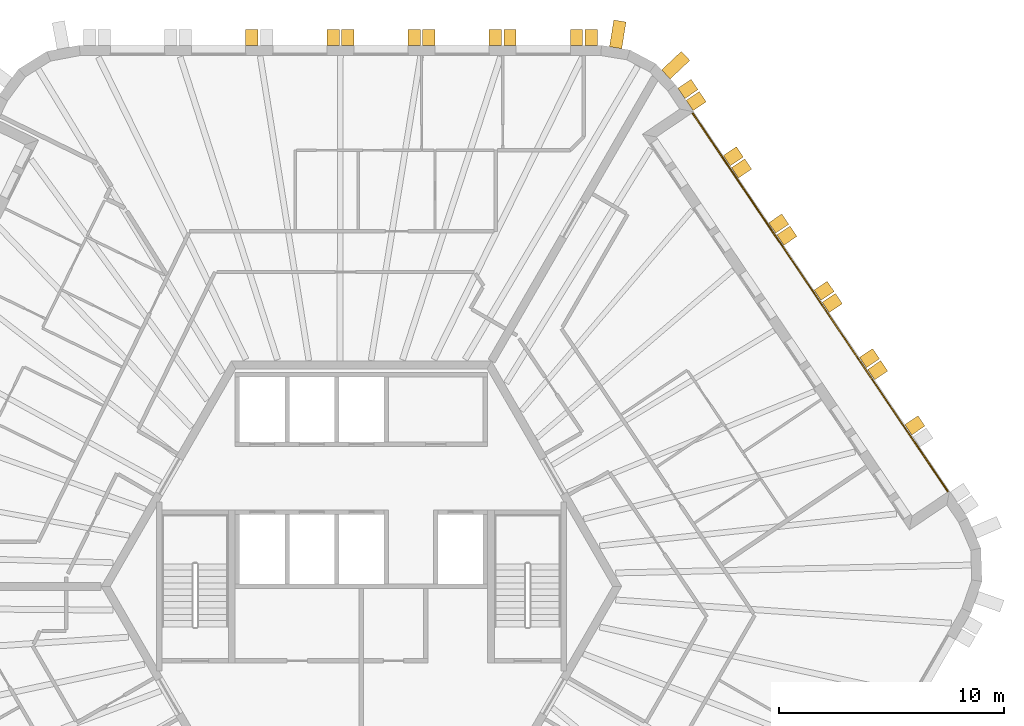
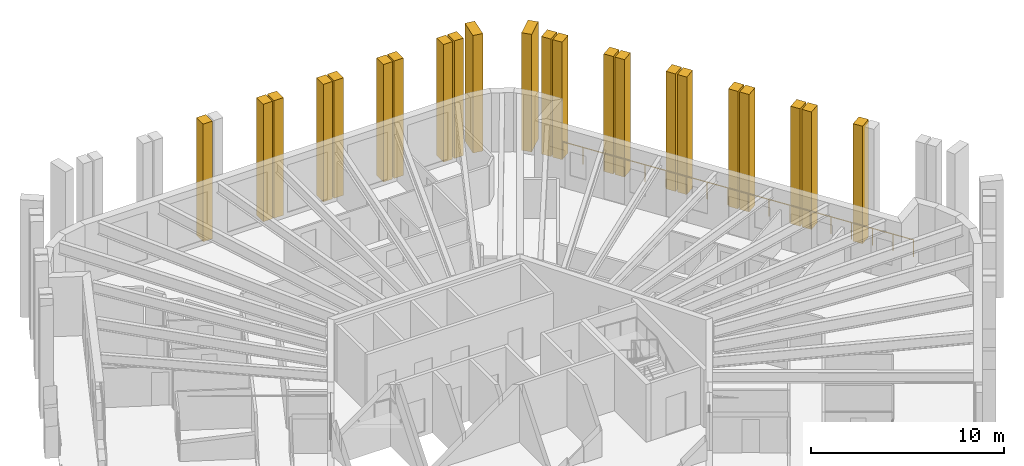
# One storey, part 12 of 12: 22 shading devices, 1 railing.
"""IFC4 building model written with IfcOpenShell, lengths in metres."""

from ifc_helpers import new_model, si_unit, direction, frame, origin, origin_2d, place, context, subcontext, project, spatial, polyline, circle, outline, extrude, material, layer, layer_set, type_object, element, save


model = new_model("IFC4")

# Units and contexts
model_context = context("Model", 3, precision=1e-05, world=origin(), true_north=direction((0.0, 1.0)))
body_context = subcontext(model_context, "Body", "Model", "MODEL_VIEW")
ifc_project = project(units=[si_unit("LENGTHUNIT", "METRE"), si_unit("AREAUNIT", "SQUARE_METRE"), si_unit("VOLUMEUNIT", "CUBIC_METRE"), si_unit("PLANEANGLEUNIT", "RADIAN"), si_unit("MASSUNIT", "GRAM", prefix="KILO")], contexts=[model_context])

# Site, building, storey
site_placement = place(None, origin())
site = spatial("IfcSite", under=ifc_project, at=site_placement, CompositionType="ELEMENT")
building_placement = place(site_placement, origin())
building = spatial("IfcBuilding", under=site, at=building_placement, Name="Tarnside Tower", CompositionType="ELEMENT")
storey_placement = place(building_placement, frame((0.0, 0.0, 369.0)))
storey = spatial("IfcBuildingStorey", under=building, at=storey_placement, Name="L89", CompositionType="ELEMENT", Elevation=369.0)

# Railing
ifc_material_1 = material(Name="Toughened glass", Category="glass")
railing_type = type_object("IfcRailingType", Name="Glass guard 1100", PredefinedType="GUARDRAIL", material=ifc_material_1)
railing_placement = place(storey_placement, frame((26.022216796875, 4.196533203125, 0.0)))
element("IfcRailing", 1, at=railing_placement, inside=storey, type_object=railing_type, Name="Loggia guard L89 F6", PredefinedType="GUARDRAIL", context=body_context, shape_type="SweptSolid", body=[
    extrude(circle(Radius=0.030029296875, at=origin_2d()), frame((0.0, 0.0, 1.070068359375), z_axis=(-0.559192274164, 0.829037997028, 0.0), x_axis=(-0.829037997028, -0.559192274164, 0.0)), (0.0, 0.0, 1.0), 20.281494140625),
    extrude(circle(Radius=0.02490234375, at=origin_2d()), origin(), (0.0, 0.0, 1.0), 1.0400390625),
    extrude(circle(Radius=0.02490234375, at=origin_2d()), frame((-0.667236328125, 0.989013671875, 0.0)), (0.0, 0.0, 1.0), 1.0400390625),
    extrude(circle(Radius=0.02490234375, at=origin_2d()), frame((-1.334228515625, 1.97802734375, 0.0)), (0.0, 0.0, 1.0), 1.0400390625),
    extrude(circle(Radius=0.02490234375, at=origin_2d()), frame((-2.00146484375, 2.96728515625, 0.0)), (0.0, 0.0, 1.0), 1.0400390625),
    extrude(circle(Radius=0.02490234375, at=origin_2d()), frame((-2.66845703125, 3.956298828125, 0.0)), (0.0, 0.0, 1.0), 1.0400390625),
    extrude(circle(Radius=0.02490234375, at=origin_2d()), frame((-3.335693359375, 4.9453125, 0.0)), (0.0, 0.0, 1.0), 1.0400390625),
    extrude(circle(Radius=0.02490234375, at=origin_2d()), frame((-4.0029296875, 5.934326171875, 0.0)), (0.0, 0.0, 1.0), 1.0400390625),
    extrude(circle(Radius=0.02490234375, at=origin_2d()), frame((-4.669921875, 6.923583984375, 0.0)), (0.0, 0.0, 1.0), 1.0400390625),
    extrude(circle(Radius=0.02490234375, at=origin_2d()), frame((-5.337158203125, 7.91259765625, 0.0)), (0.0, 0.0, 1.0), 1.0400390625),
    extrude(circle(Radius=0.02490234375, at=origin_2d()), frame((-6.004150390625, 8.901611328125, 0.0)), (0.0, 0.0, 1.0), 1.0400390625),
    extrude(circle(Radius=0.02490234375, at=origin_2d()), frame((-6.67138671875, 9.890625, 0.0)), (0.0, 0.0, 1.0), 1.0400390625),
    extrude(circle(Radius=0.02490234375, at=origin_2d()), frame((-7.33837890625, 10.8798828125, 0.0)), (0.0, 0.0, 1.0), 1.0400390625),
    extrude(circle(Radius=0.02490234375, at=origin_2d()), frame((-8.005615234375, 11.868896484375, 0.0)), (0.0, 0.0, 1.0), 1.0400390625),
    extrude(circle(Radius=0.02490234375, at=origin_2d()), frame((-8.6728515625, 12.85791015625, 0.0)), (0.0, 0.0, 1.0), 1.0400390625),
    extrude(circle(Radius=0.02490234375, at=origin_2d()), frame((-9.33984375, 13.846923828125, 0.0)), (0.0, 0.0, 1.0), 1.0400390625),
    extrude(circle(Radius=0.02490234375, at=origin_2d()), frame((-10.007080078125, 14.836181640625, 0.0)), (0.0, 0.0, 1.0), 1.0400390625),
    extrude(circle(Radius=0.02490234375, at=origin_2d()), frame((-10.674072265625, 15.8251953125, 0.0)), (0.0, 0.0, 1.0), 1.0400390625),
    extrude(circle(Radius=0.02490234375, at=origin_2d()), frame((-11.34130859375, 16.814208984375, 0.0)), (0.0, 0.0, 1.0), 1.0400390625),
])

# Shading devices
ifc_material_2 = material(Name="Concrete C50/60 white precast", Category="concrete")
ifc_layer_1 = layer(ifc_material_2, 0.550048828125)
ifc_layer_set_1 = layer_set([ifc_layer_1], Name="Precast fin 550 x 1200")
shading_device_type_1 = type_object("IfcShadingDeviceType", Name="Precast fin 550 x 1200", PredefinedType="USERDEFINED", material=ifc_layer_set_1)
for number, where, z_axis, x_axis, name in (
    (2, (13.50732421875, 22.710693359375, -0.14990234375), (0.686241637865, -0.727373641577, 0.0), (0.727373641577, 0.686241637865, 0.0), "Precast fin"),
    (3, (11.27490234375, 23.897705078125, -0.14990234375), (0.986761532114, -0.1621779231, 0.0), (0.1621779231, 0.986761532114, 0.0), "Precast fin"),
):
    element("IfcShadingDevice", number, at=place(storey_placement, frame(where, z_axis=z_axis, x_axis=x_axis)), inside=storey, type_object=shading_device_type_1, Name=name, ObjectType="FIN", PredefinedType="USERDEFINED", context=body_context, shape_type="SweptSolid", body=[
        extrude(outline(polyline([(0.0, 0.0), (1.199951171875, 0.0), (1.199951171875, 7.449951171875), (0.0, 7.449951171875), (0.0, 0.0)])), frame((0.0, 0.0, -0.27490234375)), (0.0, 0.0, 1.0), 0.550048828125),
    ])
ifc_layer_2 = layer(ifc_material_2, 0.550048828125)
ifc_layer_set_2 = layer_set([ifc_layer_2], Name="Precast fin 550 x 700")
shading_device_type_2 = type_object("IfcShadingDeviceType", Name="Precast fin 550 x 700", PredefinedType="USERDEFINED", material=ifc_layer_set_2)
for number, where, z_axis, x_axis, name in (
    (4, (10.193359375, 24.0, -0.14990234375), (1.0, 0.0, 0.0), (0.0, 1.0, 0.0), "Precast fin"),
    (5, (9.54345703125, 24.0, -0.14990234375), (1.0, 0.0, 0.0), (0.0, 1.0, 0.0), "Precast fin"),
    (6, (6.593505859375, 24.0, -0.14990234375), (1.0, 0.0, 0.0), (0.0, 1.0, 0.0), "Precast fin"),
    (7, (5.943359375, 24.0, -0.14990234375), (1.0, 0.0, 0.0), (0.0, 1.0, 0.0), "Precast fin"),
    (8, (2.993408203125, 24.0, -0.14990234375), (1.0, 0.0, 0.0), (0.0, 1.0, 0.0), "Precast fin"),
    (9, (2.343505859375, 24.0, -0.14990234375), (1.0, 0.0, 0.0), (0.0, 1.0, 0.0), "Precast fin"),
    (10, (-0.606689453125, 24.0, -0.14990234375), (1.0, 0.0, 0.0), (0.0, 1.0, 0.0), "Precast fin"),
    (11, (-1.256591796875, 24.0, -0.14990234375), (1.0, 0.0, 0.0), (0.0, 1.0, 0.0), "Precast fin"),
    (12, (-4.856689453125, 24.0, -0.14990234375), (1.0, 0.0, 0.0), (0.0, 1.0, 0.0), "Precast fin"),
    (13, (24.26220703125, 6.94873046875, -0.14990234375), (0.559192903471, -0.829037572555, 0.0), (0.829037572555, 0.559192903471, 0.0), "Precast fin"),
    (14, (22.612548828125, 9.394287109375, -0.14990234375), (0.559192903471, -0.829037572555, 0.0), (0.829037572555, 0.559192903471, 0.0), "Precast fin"),
    (15, (22.249267578125, 9.93310546875, -0.14990234375), (0.559192903471, -0.829037572555, 0.0), (0.829037572555, 0.559192903471, 0.0), "Precast fin"),
    (16, (20.599609375, 12.37890625, -0.14990234375), (0.559192903471, -0.829037572555, 0.0), (0.829037572555, 0.559192903471, 0.0), "Precast fin"),
    (17, (20.236083984375, 12.917724609375, -0.14990234375), (0.559192903471, -0.829037572555, 0.0), (0.829037572555, 0.559192903471, 0.0), "Precast fin"),
    (18, (18.58642578125, 15.363525390625, -0.14990234375), (0.559192903471, -0.829037572555, 0.0), (0.829037572555, 0.559192903471, 0.0), "Precast fin"),
    (19, (18.222900390625, 15.90234375, -0.14990234375), (0.559192903471, -0.829037572555, 0.0), (0.829037572555, 0.559192903471, 0.0), "Precast fin"),
    (20, (16.573486328125, 18.347900390625, -0.14990234375), (0.559192903471, -0.829037572555, 0.0), (0.829037572555, 0.559192903471, 0.0), "Precast fin"),
    (21, (16.2099609375, 18.88671875, -0.14990234375), (0.559192903471, -0.829037572555, 0.0), (0.829037572555, 0.559192903471, 0.0), "Precast fin"),
    (22, (14.560302734375, 21.33251953125, -0.14990234375), (0.559192903471, -0.829037572555, 0.0), (0.829037572555, 0.559192903471, 0.0), "Precast fin"),
    (23, (14.19677734375, 21.871337890625, -0.14990234375), (0.559192903471, -0.829037572555, 0.0), (0.829037572555, 0.559192903471, 0.0), "Precast fin"),
):
    element("IfcShadingDevice", number, at=place(storey_placement, frame(where, z_axis=z_axis, x_axis=x_axis)), inside=storey, type_object=shading_device_type_2, Name=name, ObjectType="FIN", PredefinedType="USERDEFINED", context=body_context, shape_type="SweptSolid", body=[
        extrude(outline(polyline([(0.0, 0.0), (0.699951171875, 0.0), (0.699951171875, 7.449951171875), (0.0, 7.449951171875), (0.0, 0.0)])), frame((0.0, 0.0, -0.27490234375)), (0.0, 0.0, 1.0), 0.550048828125),
    ])

save(model, "model.ifc")
